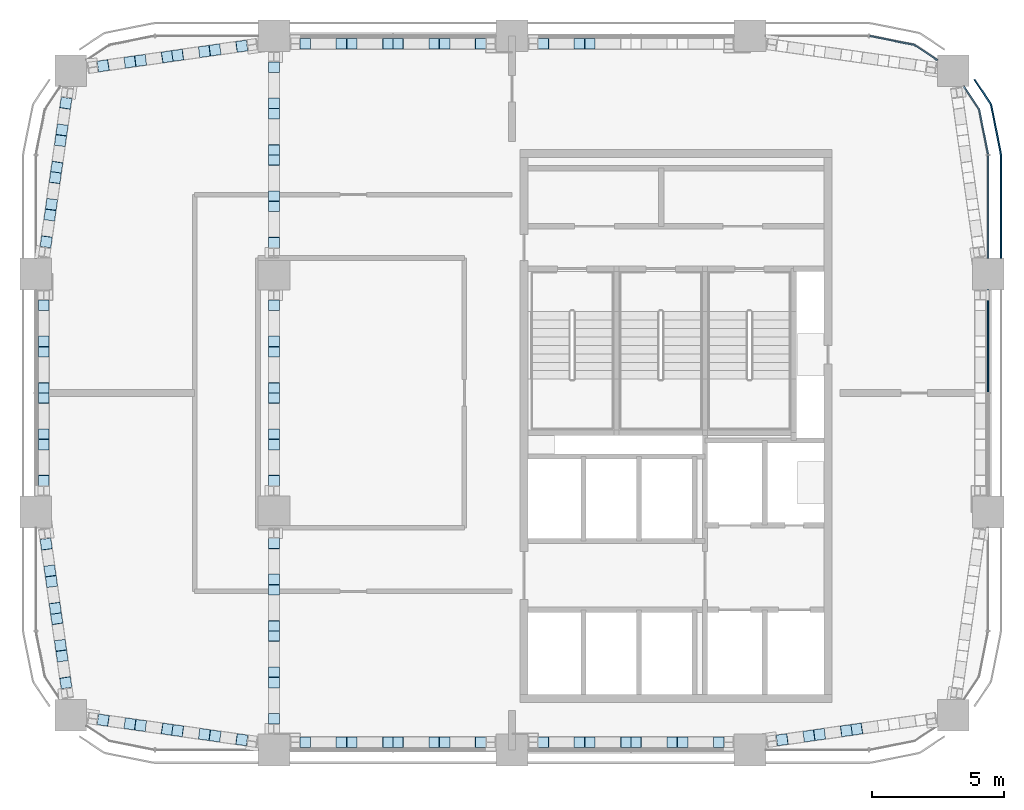
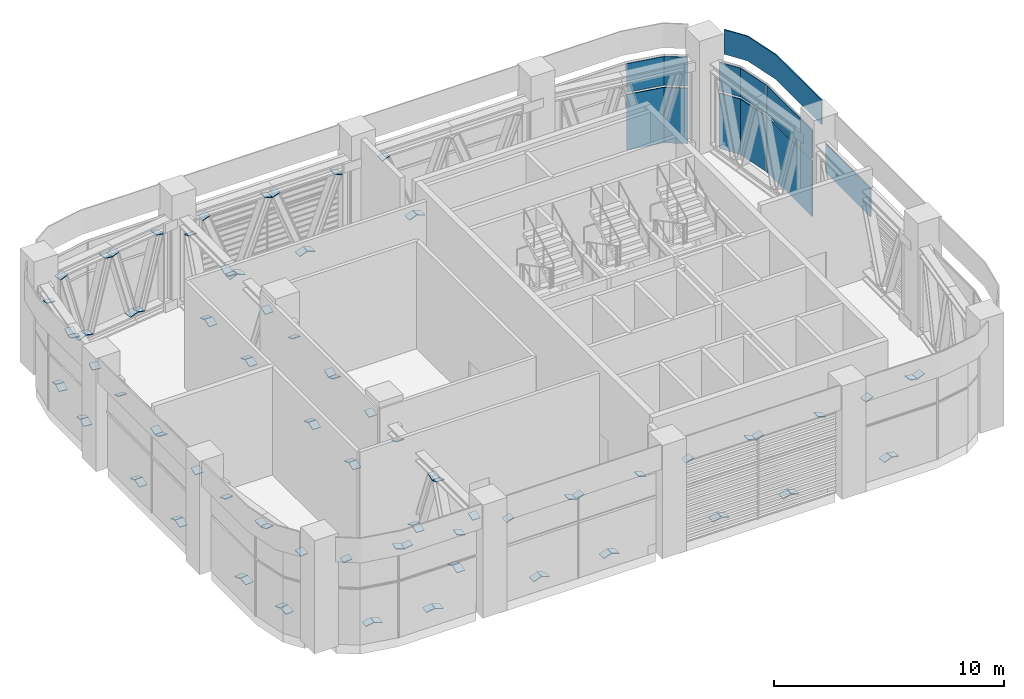
# One storey, part 8 of 14: 104 plates, 3 elements without a shape of their own.
"""IFC4 building model written with IfcOpenShell, lengths in metres."""

from ifc_helpers import new_model, si_unit, direction, frame, origin, origin_2d, place, context, subcontext, project, spatial, polyline, rectangle, outline, extrude, material, layer, layer_set, type_object, element, aggregate, save


model = new_model("IFC4")

# Units and contexts
model_context = context("Model", 3, precision=1e-05, world=origin(), true_north=direction((0.0, 1.0)))
body_context = subcontext(model_context, "Body", "Model", "MODEL_VIEW")
ifc_project = project(units=[si_unit("LENGTHUNIT", "METRE"), si_unit("AREAUNIT", "SQUARE_METRE"), si_unit("VOLUMEUNIT", "CUBIC_METRE"), si_unit("PLANEANGLEUNIT", "RADIAN"), si_unit("MASSUNIT", "GRAM", prefix="KILO")], contexts=[model_context])

# Site, building, storey
site_placement = place(None, origin())
site = spatial("IfcSite", under=ifc_project, at=site_placement, CompositionType="ELEMENT")
building_placement = place(site_placement, origin())
building = spatial("IfcBuilding", under=site, at=building_placement, Name="Tessera Arch", CompositionType="ELEMENT")
storey_placement = place(building_placement, frame((0.0, 0.0, 295.199951171875)))
storey = spatial("IfcBuildingStorey", under=building, at=storey_placement, Name="L71", CompositionType="ELEMENT", Elevation=295.199951171875)

# Curtain wall, plate
ifc_material_1 = material(Name="CW7 curtain wall")
curtain_wall_type = type_object("IfcCurtainWallType", Name="CW7 curtain wall", PredefinedType="NOTDEFINED", material=ifc_material_1)
curtain_wall_1_placement = place(storey_placement, origin())
curtain_wall_1 = element("IfcCurtainWall", 1, at=curtain_wall_1_placement, inside=storey, type_object=curtain_wall_type, Name="CW7 curtain wall E54.27/0 L71", PredefinedType="NOTDEFINED")
ifc_material_2 = material(Name="Pale anodised aluminium panel", Category="aluminium")
ifc_layer_1 = layer(ifc_material_2, 0.06005859375)
ifc_layer_set_1 = layer_set([ifc_layer_1], Name="CW7 plant wall panel")
plate_type_1 = type_object("IfcPlateType", Name="CW7 plant wall panel", PredefinedType="CURTAIN_PANEL", material=ifc_layer_set_1)
plate_1_placement = place(storey_placement, frame((54.0, 42.465087890625, 3.06005859375), z_axis=(0.0, 0.0, 1.0), x_axis=(0.0, 1.0, 0.0)))
plate_1 = element("IfcPlate", 2, at=plate_1_placement, type_object=plate_type_1, Name="CW7 plant wall panel E54.27/0 1.2.2", PredefinedType="CURTAIN_PANEL", context=body_context, shape_type="SweptSolid", body=[
    extrude(rectangle(XDim=3.8701171875, YDim=0.06005859375, at=origin_2d()), origin(), (0.0, 0.0, 1.0), 1.52001953125),
])
aggregate(curtain_wall_1, [plate_1])

# Curtain wall, plates
curtain_wall_2_placement = place(storey_placement, origin())
curtain_wall_2 = element("IfcCurtainWall", 3, at=curtain_wall_2_placement, inside=storey, type_object=curtain_wall_type, Name="CW7 curtain wall E54.27/1 L71", PredefinedType="NOTDEFINED")
plate_2_placement = place(storey_placement, frame((54.0, 47.534912109375, 0.0), z_axis=(0.0, 0.0, 1.0), x_axis=(0.0, 1.0, 0.0)))
plate_2 = element("IfcPlate", 4, at=plate_2_placement, type_object=plate_type_1, Name="CW7 plant wall panel E54.27/1 1.1", PredefinedType="CURTAIN_PANEL", context=body_context, shape_type="SweptSolid", body=[
    extrude(rectangle(XDim=3.8701171875, YDim=0.06005859375, at=origin_2d()), origin(), (0.0, 0.0, 1.0), 2.93994140625),
])
plate_3_placement = place(storey_placement, origin())
plate_3 = element("IfcPlate", 5, at=plate_3_placement, type_object=plate_type_1, Name="CW7 curved plant wall panel E54.27/1 2.1", PredefinedType="CURTAIN_PANEL", context=body_context, shape_type="SweptSolid", body=[
    extrude(outline(polyline([(53.629150390625, 51.21044921875), (53.96484375, 49.523681640625), (54.023681640625, 49.53515625), (53.685791015625, 51.23388671875), (53.10791015625, 52.0986328125), (53.057861328125, 52.0654296875), (53.629150390625, 51.21044921875)])), origin(), (0.0, 0.0, 1.0), 2.93994140625),
])
plate_4_placement = place(storey_placement, frame((54.0, 47.534912109375, 3.06005859375), z_axis=(0.0, 0.0, 1.0), x_axis=(0.0, 1.0, 0.0)))
plate_4 = element("IfcPlate", 6, at=plate_4_placement, type_object=plate_type_1, Name="CW7 plant wall panel E54.27/1 1.2", PredefinedType="CURTAIN_PANEL", context=body_context, shape_type="SweptSolid", body=[
    extrude(rectangle(XDim=3.8701171875, YDim=0.06005859375, at=origin_2d()), origin(), (0.0, 0.0, 1.0), 1.52001953125),
])
plate_5_placement = place(storey_placement, frame((0.0, 0.0, 3.06005859375)))
plate_5 = element("IfcPlate", 7, at=plate_5_placement, type_object=plate_type_1, Name="CW7 curved plant wall panel E54.27/1 2.2", PredefinedType="CURTAIN_PANEL", context=body_context, shape_type="SweptSolid", body=[
    extrude(outline(polyline([(53.629150390625, 51.21044921875), (53.96484375, 49.523681640625), (54.023681640625, 49.53515625), (53.685791015625, 51.23388671875), (53.10791015625, 52.0986328125), (53.057861328125, 52.0654296875), (53.629150390625, 51.21044921875)])), origin(), (0.0, 0.0, 1.0), 1.52001953125),
])

curtain_wall_3_placement = place(storey_placement, origin())
curtain_wall_3 = element("IfcCurtainWall", 8, at=curtain_wall_3_placement, inside=storey, type_object=curtain_wall_type, Name="CW7 curtain wall N54.18/0 L71", PredefinedType="NOTDEFINED")
plate_6_placement = place(storey_placement, origin())
plate_6 = element("IfcPlate", 9, at=plate_6_placement, type_object=plate_type_1, Name="CW7 curved plant wall panel N54.18/0 2.1", PredefinedType="CURTAIN_PANEL", context=body_context, shape_type="SweptSolid", body=[
    extrude(outline(polyline([(51.21044921875, 53.629150390625), (52.0654296875, 53.057861328125), (52.0986328125, 53.10791015625), (51.23388671875, 53.685791015625), (49.53515625, 54.023681640625), (49.523681640625, 53.96484375), (51.21044921875, 53.629150390625)])), origin(), (0.0, 0.0, 1.0), 2.93994140625),
])
plate_7_placement = place(storey_placement, frame((0.0, 0.0, 3.06005859375)))
plate_7 = element("IfcPlate", 10, at=plate_7_placement, type_object=plate_type_1, Name="CW7 curved plant wall panel N54.18/0 2.2", PredefinedType="CURTAIN_PANEL", context=body_context, shape_type="SweptSolid", body=[
    extrude(outline(polyline([(51.21044921875, 53.629150390625), (52.0654296875, 53.057861328125), (52.0986328125, 53.10791015625), (51.23388671875, 53.685791015625), (49.53515625, 54.023681640625), (49.523681640625, 53.96484375), (51.21044921875, 53.629150390625)])), origin(), (0.0, 0.0, 1.0), 1.52001953125),
])
aggregate(curtain_wall_3, [plate_6, plate_7])

# Plate
ifc_material_3 = material(Name="Pale anodised aluminium panel", Category="aluminium")
ifc_layer_2 = layer(ifc_material_3, 0.06005859375)
ifc_layer_set_2 = layer_set([ifc_layer_2], Name="CW7 spandrel panel")
plate_type_2 = type_object("IfcPlateType", Name="CW7 spandrel panel", PredefinedType="CURTAIN_PANEL", material=ifc_layer_set_2)
plate_8_placement = place(storey_placement, frame((0.0, 0.0, 4.699951171875)))
plate_8 = element("IfcPlate", 11, at=plate_8_placement, type_object=plate_type_2, Name="CW7 spandrel panel E54.27/1", PredefinedType="CURTAIN_PANEL", context=body_context, shape_type="SweptSolid", body=[
    extrude(outline(polyline([(54.449951171875, 49.499267578125), (54.449951171875, 45.60009765625), (54.510009765625, 45.60009765625), (54.510009765625, 49.500732421875), (54.507568359375, 49.550048828125), (54.500244140625, 49.598876953125), (54.157470703125, 51.322265625), (54.1455078125, 51.3701171875), (54.128662109375, 51.417236328125), (54.107421875, 51.462646484375), (54.08203125, 51.5048828125), (53.5068359375, 52.365234375), (53.45703125, 52.33203125), (54.03125, 51.47265625), (54.054443359375, 51.434326171875), (54.0732421875, 51.394287109375), (54.088134765625, 51.352783203125), (54.09912109375, 51.30908203125), (54.441162109375, 49.588623046875), (54.44775390625, 49.544189453125), (54.449951171875, 49.499267578125)])), origin(), (0.0, 0.0, 1.0), 1.300048828125),
])

aggregate(curtain_wall_2, [plate_2, plate_3, plate_4, plate_5, plate_8])

# Plates
ifc_material_4 = material(Name="Steel A572 Gr50", Category="steel")
ifc_layer_3 = layer(ifc_material_4, 0.0400390625)
ifc_layer_set_3 = layer_set([ifc_layer_3], Name="End plate W14x257")
plate_type_3 = type_object("IfcPlateType", Name="End plate W14x257", PredefinedType="SHEET", material=ifc_layer_set_3)
for number, where, z_axis, x_axis, name in (
    (12, (38.947998046875, 53.699951171875, 0.564697265625), (-0.354469991273, 0.0, -0.935067390773), (0.0, -1.0, 0.0), "End plate Belt truss diagonal 3 end 2"),
    (13, (38.559814453125, 53.699951171875, 0.52734375), (-0.354469991273, 0.0, 0.935067390773), (0.0, -1.0, 0.0), "End plate Belt truss diagonal 4 end 1"),
    (14, (37.19482421875, 53.699951171875, 4.13525390625), (-0.354469991273, 0.0, 0.935067390773), (0.0, -1.0, 0.0), "End plate Belt truss diagonal 4 end 2"),
    (15, (34.8193359375, 53.699951171875, 4.172607421875), (-0.354469991273, 0.0, -0.935067390773), (0.0, -1.0, 0.0), "End plate Belt truss diagonal 1 end 1"),
    (16, (33.454345703125, 53.699951171875, 0.564697265625), (-0.354469991273, 0.0, -0.935067390773), (0.0, -1.0, 0.0), "End plate Belt truss diagonal 1 end 2"),
    (17, (33.066162109375, 53.699951171875, 0.52734375), (-0.354469991273, 0.0, 0.935067390773), (0.0, -1.0, 0.0), "End plate Belt truss diagonal 2 end 1"),
    (18, (31.701171875, 53.699951171875, 4.13525390625), (-0.354469991273, 0.0, 0.935067390773), (0.0, -1.0, 0.0), "End plate Belt truss diagonal 2 end 2"),
    (19, (31.31298828125, 53.699951171875, 4.172607421875), (-0.354469991273, 0.0, -0.935067390773), (0.0, -1.0, 0.0), "End plate Belt truss diagonal 3 end 1"),
    (20, (29.947998046875, 53.699951171875, 0.564697265625), (-0.354469991273, 0.0, -0.935067390773), (0.0, -1.0, 0.0), "End plate Belt truss diagonal 3 end 2"),
    (21, (29.559814453125, 53.699951171875, 0.52734375), (-0.354469991273, 0.0, 0.935067390773), (0.0, -1.0, 0.0), "End plate Belt truss diagonal 4 end 1"),
    (22, (28.19482421875, 53.699951171875, 4.13525390625), (-0.354469991273, 0.0, 0.935067390773), (0.0, -1.0, 0.0), "End plate Belt truss diagonal 4 end 2"),
):
    element("IfcPlate", number, at=place(storey_placement, frame(where, z_axis=z_axis, x_axis=x_axis)), inside=storey, type_object=plate_type_3, Name=name, PredefinedType="SHEET", context=body_context, shape_type="SweptSolid", body=[
        extrude(rectangle(XDim=0.406494140625, YDim=0.41650390625, at=origin_2d()), origin(), (0.0, 0.0, 1.0), 0.0400390625),
    ])
plate_9_placement = place(storey_placement, frame((25.787841796875, 53.6103515625, 4.190673828125), z_axis=(-0.269674879765, -0.036773847241, -0.962249002797), x_axis=(0.135113204733, -0.990830168044, 0.0)))
element("IfcPlate", 23, at=plate_9_placement, inside=storey, type_object=plate_type_3, Name="End plate Belt truss diagonal 1 end 1", PredefinedType="SHEET", context=body_context, shape_type="SweptSolid", body=[
    extrude(rectangle(XDim=0.406494140625, YDim=0.41650390625, at=origin_2d()), origin(), (0.0, 0.0, 1.0), 0.039794921875),
])
for number, where, z_axis, x_axis, name in (
    (24, (24.7763671875, 53.46728515625, 0.5478515625), (-0.2680934014, -0.0365581911, -0.962699032299), (0.135113204733, -0.990830168044, 0.0), "End plate Belt truss diagonal 1 end 2"),
    (25, (24.380126953125, 53.4111328125, 0.50927734375), (-0.2680934014, -0.0365581911, 0.962699032299), (0.135113204733, -0.990830168044, 0.0), "End plate Belt truss diagonal 2 end 1"),
):
    element("IfcPlate", number, at=place(storey_placement, frame(where, z_axis=z_axis, x_axis=x_axis)), inside=storey, type_object=plate_type_3, Name=name, PredefinedType="SHEET", context=body_context, shape_type="SweptSolid", body=[
        extrude(rectangle(XDim=0.406494140625, YDim=0.41650390625, at=origin_2d()), origin(), (0.0, 0.0, 1.0), 0.0400390625),
    ])
for number, where, z_axis, x_axis, name in (
    (26, (23.36865234375, 53.26806640625, 4.15234375), (-0.269674879765, -0.036773847241, 0.962249002797), (0.135113204733, -0.990830168044, 0.0), "End plate Belt truss diagonal 2 end 2"),
    (27, (22.972412109375, 53.212158203125, 4.190673828125), (-0.263912967889, -0.042962576168, -0.96358920834), (0.160675602082, -0.987007269931, 0.0), "End plate Belt truss diagonal 3 end 1"),
):
    element("IfcPlate", number, at=place(storey_placement, frame(where, z_axis=z_axis, x_axis=x_axis)), inside=storey, type_object=plate_type_3, Name=name, PredefinedType="SHEET", context=body_context, shape_type="SweptSolid", body=[
        extrude(rectangle(XDim=0.406494140625, YDim=0.41650390625, at=origin_2d()), origin(), (0.0, 0.0, 1.0), 0.039794921875),
    ])
for number, where, z_axis, x_axis, name in (
    (28, (21.9609375, 53.06884765625, 0.5478515625), (-0.2680934014, -0.0365581911, -0.962699032299), (0.135113204733, -0.990830168044, 0.0), "End plate Belt truss diagonal 3 end 2"),
    (29, (21.56494140625, 53.012939453125, 0.50927734375), (-0.2680934014, -0.0365581911, 0.962699032299), (0.135113204733, -0.990830168044, 0.0), "End plate Belt truss diagonal 4 end 1"),
):
    element("IfcPlate", number, at=place(storey_placement, frame(where, z_axis=z_axis, x_axis=x_axis)), inside=storey, type_object=plate_type_3, Name=name, PredefinedType="SHEET", context=body_context, shape_type="SweptSolid", body=[
        extrude(rectangle(XDim=0.406494140625, YDim=0.41650390625, at=origin_2d()), origin(), (0.0, 0.0, 1.0), 0.0400390625),
    ])
for number, where, z_axis, x_axis, name in (
    (30, (20.55322265625, 52.869873046875, 4.15234375), (-0.269609057858, -0.042892350114, 0.962014138266), (0.157115048735, -0.987580306335, 0.0), "End plate Belt truss diagonal 4 end 2"),
    (31, (19.1318359375, 51.45751953125, 4.190673828125), (-0.042892350114, -0.269609057858, -0.962014138266), (0.987580306335, -0.157115048735, 0.0), "End plate Belt truss diagonal 1 end 1"),
):
    element("IfcPlate", number, at=place(storey_placement, frame(where, z_axis=z_axis, x_axis=x_axis)), inside=storey, type_object=plate_type_3, Name=name, PredefinedType="SHEET", context=body_context, shape_type="SweptSolid", body=[
        extrude(rectangle(XDim=0.406494140625, YDim=0.41650390625, at=origin_2d()), origin(), (0.0, 0.0, 1.0), 0.039794921875),
    ])
for number, where, z_axis, x_axis, name in (
    (32, (18.988525390625, 50.44580078125, 0.5478515625), (-0.0365581911, -0.2680934014, -0.962699032299), (0.990830168044, -0.135113204733, 0.0), "End plate Belt truss diagonal 1 end 2"),
    (33, (18.9326171875, 50.0498046875, 0.50927734375), (-0.0365581911, -0.2680934014, 0.962699032299), (0.990830168044, -0.135113204733, 0.0), "End plate Belt truss diagonal 2 end 1"),
):
    element("IfcPlate", number, at=place(storey_placement, frame(where, z_axis=z_axis, x_axis=x_axis)), inside=storey, type_object=plate_type_3, Name=name, PredefinedType="SHEET", context=body_context, shape_type="SweptSolid", body=[
        extrude(rectangle(XDim=0.406494140625, YDim=0.41650390625, at=origin_2d()), origin(), (0.0, 0.0, 1.0), 0.0400390625),
    ])
for number, where, z_axis, x_axis, name in (
    (34, (18.78955078125, 49.0380859375, 4.15234375), (-0.042962576168, -0.263912967889, 0.96358920834), (0.987007269931, -0.160675602082, 0.0), "End plate Belt truss diagonal 2 end 2"),
    (35, (18.7333984375, 48.64208984375, 4.190673828125), (-0.036773847241, -0.269674879765, -0.962249002797), (0.990830168044, -0.135113204733, 0.0), "End plate Belt truss diagonal 3 end 1"),
):
    element("IfcPlate", number, at=place(storey_placement, frame(where, z_axis=z_axis, x_axis=x_axis)), inside=storey, type_object=plate_type_3, Name=name, PredefinedType="SHEET", context=body_context, shape_type="SweptSolid", body=[
        extrude(rectangle(XDim=0.406494140625, YDim=0.41650390625, at=origin_2d()), origin(), (0.0, 0.0, 1.0), 0.039794921875),
    ])
for number, where, z_axis, x_axis, name in (
    (36, (18.59033203125, 47.630615234375, 0.5478515625), (-0.0365581911, -0.2680934014, -0.962699032299), (0.990830168044, -0.135113204733, 0.0), "End plate Belt truss diagonal 3 end 2"),
    (37, (18.5341796875, 47.234375, 0.50927734375), (-0.0365581911, -0.2680934014, 0.962699032299), (0.990830168044, -0.135113204733, 0.0), "End plate Belt truss diagonal 4 end 1"),
):
    element("IfcPlate", number, at=place(storey_placement, frame(where, z_axis=z_axis, x_axis=x_axis)), inside=storey, type_object=plate_type_3, Name=name, PredefinedType="SHEET", context=body_context, shape_type="SweptSolid", body=[
        extrude(rectangle(XDim=0.406494140625, YDim=0.41650390625, at=origin_2d()), origin(), (0.0, 0.0, 1.0), 0.0400390625),
    ])
plate_10_placement = place(storey_placement, frame((18.39111328125, 46.222900390625, 4.15234375), z_axis=(-0.036773847241, -0.269674879765, 0.962249002797), x_axis=(0.990830168044, -0.135113204733, 0.0)))
element("IfcPlate", 38, at=plate_10_placement, inside=storey, type_object=plate_type_3, Name="End plate Belt truss diagonal 4 end 2", PredefinedType="SHEET", context=body_context, shape_type="SweptSolid", body=[
    extrude(rectangle(XDim=0.406494140625, YDim=0.41650390625, at=origin_2d()), origin(), (0.0, 0.0, 1.0), 0.039794921875),
])
for number, where, z_axis, x_axis, name in (
    (39, (18.300048828125, 43.8193359375, 4.172607421875), (0.0, -0.354469991273, -0.935067390773), (1.0, 0.0, 0.0), "End plate Belt truss diagonal 1 end 1"),
    (40, (18.300048828125, 42.454345703125, 0.564697265625), (0.0, -0.354469991273, -0.935067390773), (1.0, 0.0, 0.0), "End plate Belt truss diagonal 1 end 2"),
    (41, (18.300048828125, 42.066162109375, 0.52734375), (0.0, -0.354469991273, 0.935067390773), (1.0, 0.0, 0.0), "End plate Belt truss diagonal 2 end 1"),
    (42, (18.300048828125, 40.701171875, 4.13525390625), (0.0, -0.354469991273, 0.935067390773), (1.0, 0.0, 0.0), "End plate Belt truss diagonal 2 end 2"),
    (43, (18.300048828125, 40.31298828125, 4.172607421875), (0.0, -0.354469991273, -0.935067390773), (1.0, 0.0, 0.0), "End plate Belt truss diagonal 3 end 1"),
    (44, (18.300048828125, 38.947998046875, 0.564697265625), (0.0, -0.354469991273, -0.935067390773), (1.0, 0.0, 0.0), "End plate Belt truss diagonal 3 end 2"),
    (45, (18.300048828125, 38.559814453125, 0.52734375), (0.0, -0.354469991273, 0.935067390773), (1.0, 0.0, 0.0), "End plate Belt truss diagonal 4 end 1"),
    (46, (18.300048828125, 37.19482421875, 4.13525390625), (0.0, -0.354469991273, 0.935067390773), (1.0, 0.0, 0.0), "End plate Belt truss diagonal 4 end 2"),
):
    element("IfcPlate", number, at=place(storey_placement, frame(where, z_axis=z_axis, x_axis=x_axis)), inside=storey, type_object=plate_type_3, Name=name, PredefinedType="SHEET", context=body_context, shape_type="SweptSolid", body=[
        extrude(rectangle(XDim=0.406494140625, YDim=0.41650390625, at=origin_2d()), origin(), (0.0, 0.0, 1.0), 0.0400390625),
    ])
plate_11_placement = place(storey_placement, frame((18.3896484375, 34.787841796875, 4.190673828125), z_axis=(0.036773847241, -0.269674879765, -0.962249002797), x_axis=(0.990830168044, 0.135113204733, 0.0)))
element("IfcPlate", 47, at=plate_11_placement, inside=storey, type_object=plate_type_3, Name="End plate Belt truss diagonal 1 end 1", PredefinedType="SHEET", context=body_context, shape_type="SweptSolid", body=[
    extrude(rectangle(XDim=0.406494140625, YDim=0.41650390625, at=origin_2d()), origin(), (0.0, 0.0, 1.0), 0.039794921875),
])
for number, where, z_axis, x_axis, name in (
    (48, (18.53271484375, 33.7763671875, 0.5478515625), (0.0365581911, -0.2680934014, -0.962699032299), (0.990830168044, 0.135113204733, 0.0), "End plate Belt truss diagonal 1 end 2"),
    (49, (18.5888671875, 33.380126953125, 0.50927734375), (0.0365581911, -0.2680934014, 0.962699032299), (0.990830168044, 0.135113204733, 0.0), "End plate Belt truss diagonal 2 end 1"),
):
    element("IfcPlate", number, at=place(storey_placement, frame(where, z_axis=z_axis, x_axis=x_axis)), inside=storey, type_object=plate_type_3, Name=name, PredefinedType="SHEET", context=body_context, shape_type="SweptSolid", body=[
        extrude(rectangle(XDim=0.406494140625, YDim=0.41650390625, at=origin_2d()), origin(), (0.0, 0.0, 1.0), 0.0400390625),
    ])
for number, where, z_axis, x_axis, name in (
    (50, (18.73193359375, 32.36865234375, 4.15234375), (0.036773847241, -0.269674879765, 0.962249002797), (0.990830168044, 0.135113204733, 0.0), "End plate Belt truss diagonal 2 end 2"),
    (51, (18.787841796875, 31.972412109375, 4.190673828125), (0.042962576168, -0.263912967889, -0.96358920834), (0.987007269931, 0.160675602082, 0.0), "End plate Belt truss diagonal 3 end 1"),
):
    element("IfcPlate", number, at=place(storey_placement, frame(where, z_axis=z_axis, x_axis=x_axis)), inside=storey, type_object=plate_type_3, Name=name, PredefinedType="SHEET", context=body_context, shape_type="SweptSolid", body=[
        extrude(rectangle(XDim=0.406494140625, YDim=0.41650390625, at=origin_2d()), origin(), (0.0, 0.0, 1.0), 0.039794921875),
    ])
for number, where, z_axis, x_axis, name in (
    (52, (18.93115234375, 30.9609375, 0.5478515625), (0.0365581911, -0.2680934014, -0.962699032299), (0.990830168044, 0.135113204733, 0.0), "End plate Belt truss diagonal 3 end 2"),
    (53, (18.987060546875, 30.56494140625, 0.50927734375), (0.0365581911, -0.2680934014, 0.962699032299), (0.990830168044, 0.135113204733, 0.0), "End plate Belt truss diagonal 4 end 1"),
):
    element("IfcPlate", number, at=place(storey_placement, frame(where, z_axis=z_axis, x_axis=x_axis)), inside=storey, type_object=plate_type_3, Name=name, PredefinedType="SHEET", context=body_context, shape_type="SweptSolid", body=[
        extrude(rectangle(XDim=0.406494140625, YDim=0.41650390625, at=origin_2d()), origin(), (0.0, 0.0, 1.0), 0.0400390625),
    ])
for number, where, z_axis, x_axis, name in (
    (54, (19.130126953125, 29.55322265625, 4.15234375), (0.042892350114, -0.269609057858, 0.962014138266), (0.987580306335, 0.157115048735, 0.0), "End plate Belt truss diagonal 4 end 2"),
    (55, (20.54248046875, 28.1318359375, 4.190673828125), (0.269609057858, -0.042892350114, -0.962014138266), (0.157115048735, 0.987580306335, 0.0), "End plate Belt truss diagonal 1 end 1"),
):
    element("IfcPlate", number, at=place(storey_placement, frame(where, z_axis=z_axis, x_axis=x_axis)), inside=storey, type_object=plate_type_3, Name=name, PredefinedType="SHEET", context=body_context, shape_type="SweptSolid", body=[
        extrude(rectangle(XDim=0.406494140625, YDim=0.41650390625, at=origin_2d()), origin(), (0.0, 0.0, 1.0), 0.039794921875),
    ])
for number, where, z_axis, x_axis, name in (
    (56, (21.55419921875, 27.988525390625, 0.5478515625), (0.2680934014, -0.0365581911, -0.962699032299), (0.135113204733, 0.990830168044, 0.0), "End plate Belt truss diagonal 1 end 2"),
    (57, (21.9501953125, 27.9326171875, 0.50927734375), (0.2680934014, -0.0365581911, 0.962699032299), (0.135113204733, 0.990830168044, 0.0), "End plate Belt truss diagonal 2 end 1"),
):
    element("IfcPlate", number, at=place(storey_placement, frame(where, z_axis=z_axis, x_axis=x_axis)), inside=storey, type_object=plate_type_3, Name=name, PredefinedType="SHEET", context=body_context, shape_type="SweptSolid", body=[
        extrude(rectangle(XDim=0.406494140625, YDim=0.41650390625, at=origin_2d()), origin(), (0.0, 0.0, 1.0), 0.0400390625),
    ])
for number, where, z_axis, x_axis, name in (
    (58, (22.9619140625, 27.78955078125, 4.15234375), (0.263912967889, -0.042962576168, 0.96358920834), (0.160675602082, 0.987007269931, 0.0), "End plate Belt truss diagonal 2 end 2"),
    (59, (23.35791015625, 27.7333984375, 4.190673828125), (0.269674879765, -0.036773847241, -0.962249002797), (0.135113204733, 0.990830168044, 0.0), "End plate Belt truss diagonal 3 end 1"),
):
    element("IfcPlate", number, at=place(storey_placement, frame(where, z_axis=z_axis, x_axis=x_axis)), inside=storey, type_object=plate_type_3, Name=name, PredefinedType="SHEET", context=body_context, shape_type="SweptSolid", body=[
        extrude(rectangle(XDim=0.406494140625, YDim=0.41650390625, at=origin_2d()), origin(), (0.0, 0.0, 1.0), 0.039794921875),
    ])
for number, where, z_axis, x_axis, name in (
    (60, (24.369384765625, 27.59033203125, 0.5478515625), (0.2680934014, -0.0365581911, -0.962699032299), (0.135113204733, 0.990830168044, 0.0), "End plate Belt truss diagonal 3 end 2"),
    (61, (24.765625, 27.5341796875, 0.50927734375), (0.2680934014, -0.0365581911, 0.962699032299), (0.135113204733, 0.990830168044, 0.0), "End plate Belt truss diagonal 4 end 1"),
):
    element("IfcPlate", number, at=place(storey_placement, frame(where, z_axis=z_axis, x_axis=x_axis)), inside=storey, type_object=plate_type_3, Name=name, PredefinedType="SHEET", context=body_context, shape_type="SweptSolid", body=[
        extrude(rectangle(XDim=0.406494140625, YDim=0.41650390625, at=origin_2d()), origin(), (0.0, 0.0, 1.0), 0.0400390625),
    ])
plate_12_placement = place(storey_placement, frame((25.777099609375, 27.39111328125, 4.15234375), z_axis=(0.269674879765, -0.036773847241, 0.962249002797), x_axis=(0.135113204733, 0.990830168044, 0.0)))
element("IfcPlate", 62, at=plate_12_placement, inside=storey, type_object=plate_type_3, Name="End plate Belt truss diagonal 4 end 2", PredefinedType="SHEET", context=body_context, shape_type="SweptSolid", body=[
    extrude(rectangle(XDim=0.406494140625, YDim=0.41650390625, at=origin_2d()), origin(), (0.0, 0.0, 1.0), 0.039794921875),
])
for number, where, z_axis, x_axis, name in (
    (63, (28.1806640625, 27.300048828125, 4.172607421875), (0.354469991273, 0.0, -0.935067390773), (0.0, 1.0, 0.0), "End plate Belt truss diagonal 1 end 1"),
    (64, (29.545654296875, 27.300048828125, 0.564697265625), (0.354469991273, 0.0, -0.935067390773), (0.0, 1.0, 0.0), "End plate Belt truss diagonal 1 end 2"),
    (65, (29.933837890625, 27.300048828125, 0.52734375), (0.354469991273, 0.0, 0.935067390773), (0.0, 1.0, 0.0), "End plate Belt truss diagonal 2 end 1"),
    (66, (31.298828125, 27.300048828125, 4.13525390625), (0.354469991273, 0.0, 0.935067390773), (0.0, 1.0, 0.0), "End plate Belt truss diagonal 2 end 2"),
    (67, (31.68701171875, 27.300048828125, 4.172607421875), (0.354469991273, 0.0, -0.935067390773), (0.0, 1.0, 0.0), "End plate Belt truss diagonal 3 end 1"),
    (68, (33.052001953125, 27.300048828125, 0.564697265625), (0.354469991273, 0.0, -0.935067390773), (0.0, 1.0, 0.0), "End plate Belt truss diagonal 3 end 2"),
    (69, (33.440185546875, 27.300048828125, 0.52734375), (0.354469991273, 0.0, 0.935067390773), (0.0, 1.0, 0.0), "End plate Belt truss diagonal 4 end 1"),
    (70, (34.80517578125, 27.300048828125, 4.13525390625), (0.354469991273, 0.0, 0.935067390773), (0.0, 1.0, 0.0), "End plate Belt truss diagonal 4 end 2"),
    (71, (37.1806640625, 27.300048828125, 4.172607421875), (0.354469991273, 0.0, -0.935067390773), (0.0, 1.0, 0.0), "End plate Belt truss diagonal 1 end 1"),
    (72, (38.545654296875, 27.300048828125, 0.564697265625), (0.354469991273, 0.0, -0.935067390773), (0.0, 1.0, 0.0), "End plate Belt truss diagonal 1 end 2"),
    (73, (38.933837890625, 27.300048828125, 0.52734375), (0.354469991273, 0.0, 0.935067390773), (0.0, 1.0, 0.0), "End plate Belt truss diagonal 2 end 1"),
    (74, (40.298828125, 27.300048828125, 4.13525390625), (0.354469991273, 0.0, 0.935067390773), (0.0, 1.0, 0.0), "End plate Belt truss diagonal 2 end 2"),
    (75, (40.68701171875, 27.300048828125, 4.172607421875), (0.354469991273, 0.0, -0.935067390773), (0.0, 1.0, 0.0), "End plate Belt truss diagonal 3 end 1"),
    (76, (42.052001953125, 27.300048828125, 0.564697265625), (0.354469991273, 0.0, -0.935067390773), (0.0, 1.0, 0.0), "End plate Belt truss diagonal 3 end 2"),
    (77, (42.440185546875, 27.300048828125, 0.52734375), (0.354469991273, 0.0, 0.935067390773), (0.0, 1.0, 0.0), "End plate Belt truss diagonal 4 end 1"),
    (78, (43.80517578125, 27.300048828125, 4.13525390625), (0.354469991273, 0.0, 0.935067390773), (0.0, 1.0, 0.0), "End plate Belt truss diagonal 4 end 2"),
):
    element("IfcPlate", number, at=place(storey_placement, frame(where, z_axis=z_axis, x_axis=x_axis)), inside=storey, type_object=plate_type_3, Name=name, PredefinedType="SHEET", context=body_context, shape_type="SweptSolid", body=[
        extrude(rectangle(XDim=0.406494140625, YDim=0.41650390625, at=origin_2d()), origin(), (0.0, 0.0, 1.0), 0.0400390625),
    ])
plate_13_placement = place(storey_placement, frame((46.212158203125, 27.3896484375, 4.190673828125), z_axis=(0.269674879765, 0.036773847241, -0.962249002797), x_axis=(-0.135113204733, 0.990830168044, 0.0)))
element("IfcPlate", 79, at=plate_13_placement, inside=storey, type_object=plate_type_3, Name="End plate Belt truss diagonal 1 end 1", PredefinedType="SHEET", context=body_context, shape_type="SweptSolid", body=[
    extrude(rectangle(XDim=0.406494140625, YDim=0.41650390625, at=origin_2d()), origin(), (0.0, 0.0, 1.0), 0.039794921875),
])
for number, where, z_axis, x_axis, name in (
    (80, (47.2236328125, 27.53271484375, 0.5478515625), (0.2680934014, 0.0365581911, -0.962699032299), (-0.135113204733, 0.990830168044, 0.0), "End plate Belt truss diagonal 1 end 2"),
    (81, (47.619873046875, 27.5888671875, 0.50927734375), (0.2680934014, 0.0365581911, 0.962699032299), (-0.135113204733, 0.990830168044, 0.0), "End plate Belt truss diagonal 2 end 1"),
):
    element("IfcPlate", number, at=place(storey_placement, frame(where, z_axis=z_axis, x_axis=x_axis)), inside=storey, type_object=plate_type_3, Name=name, PredefinedType="SHEET", context=body_context, shape_type="SweptSolid", body=[
        extrude(rectangle(XDim=0.406494140625, YDim=0.41650390625, at=origin_2d()), origin(), (0.0, 0.0, 1.0), 0.0400390625),
    ])
for number, where, z_axis, x_axis, name in (
    (82, (48.63134765625, 27.73193359375, 4.15234375), (0.269674879765, 0.036773847241, 0.962249002797), (-0.135113204733, 0.990830168044, 0.0), "End plate Belt truss diagonal 2 end 2"),
    (83, (49.027587890625, 27.787841796875, 4.190673828125), (0.263912967889, 0.042962576168, -0.96358920834), (-0.160675602082, 0.987007269931, 0.0), "End plate Belt truss diagonal 3 end 1"),
):
    element("IfcPlate", number, at=place(storey_placement, frame(where, z_axis=z_axis, x_axis=x_axis)), inside=storey, type_object=plate_type_3, Name=name, PredefinedType="SHEET", context=body_context, shape_type="SweptSolid", body=[
        extrude(rectangle(XDim=0.406494140625, YDim=0.41650390625, at=origin_2d()), origin(), (0.0, 0.0, 1.0), 0.039794921875),
    ])
for number, where, z_axis, x_axis, name in (
    (84, (27.0, 28.180908203125, 4.172607421875), (0.0, 0.354469991273, -0.935067390773), (-1.0, 0.0, 0.0), "End plate Belt truss diagonal 1 end 1"),
    (85, (27.0, 29.545654296875, 0.564697265625), (0.0, 0.354469991273, -0.935067390773), (-1.0, 0.0, 0.0), "End plate Belt truss diagonal 1 end 2"),
    (86, (27.0, 29.933837890625, 0.52734375), (0.0, 0.354469991273, 0.935067390773), (-1.0, 0.0, 0.0), "End plate Belt truss diagonal 2 end 1"),
    (87, (27.0, 31.298828125, 4.13525390625), (0.0, 0.354469991273, 0.935067390773), (-1.0, 0.0, 0.0), "End plate Belt truss diagonal 2 end 2"),
    (88, (27.0, 31.68701171875, 4.172607421875), (0.0, 0.354469991273, -0.935067390773), (-1.0, 0.0, 0.0), "End plate Belt truss diagonal 3 end 1"),
    (89, (27.0, 33.052001953125, 0.564697265625), (0.0, 0.354469991273, -0.935067390773), (-1.0, 0.0, 0.0), "End plate Belt truss diagonal 3 end 2"),
    (90, (27.0, 33.440185546875, 0.52734375), (0.0, 0.354469991273, 0.935067390773), (-1.0, 0.0, 0.0), "End plate Belt truss diagonal 4 end 1"),
    (91, (27.0, 34.804931640625, 4.13525390625), (0.0, 0.354469991273, 0.935067390773), (-1.0, 0.0, 0.0), "End plate Belt truss diagonal 4 end 2"),
    (92, (27.0, 37.180908203125, 4.172607421875), (0.0, 0.354469991273, -0.935067390773), (-1.0, 0.0, 0.0), "End plate Belt truss diagonal 1 end 1"),
    (93, (27.0, 38.545654296875, 0.564697265625), (0.0, 0.354469991273, -0.935067390773), (-1.0, 0.0, 0.0), "End plate Belt truss diagonal 1 end 2"),
    (94, (27.0, 38.933837890625, 0.52734375), (0.0, 0.354469991273, 0.935067390773), (-1.0, 0.0, 0.0), "End plate Belt truss diagonal 2 end 1"),
    (95, (27.0, 40.298828125, 4.13525390625), (0.0, 0.354469991273, 0.935067390773), (-1.0, 0.0, 0.0), "End plate Belt truss diagonal 2 end 2"),
    (96, (27.0, 40.68701171875, 4.172607421875), (0.0, 0.354469991273, -0.935067390773), (-1.0, 0.0, 0.0), "End plate Belt truss diagonal 3 end 1"),
    (97, (27.0, 42.052001953125, 0.564697265625), (0.0, 0.354469991273, -0.935067390773), (-1.0, 0.0, 0.0), "End plate Belt truss diagonal 3 end 2"),
    (98, (27.0, 42.440185546875, 0.52734375), (0.0, 0.354469991273, 0.935067390773), (-1.0, 0.0, 0.0), "End plate Belt truss diagonal 4 end 1"),
    (99, (27.0, 43.804931640625, 4.13525390625), (0.0, 0.354469991273, 0.935067390773), (-1.0, 0.0, 0.0), "End plate Belt truss diagonal 4 end 2"),
    (100, (27.0, 46.180908203125, 4.172607421875), (0.0, 0.354469991273, -0.935067390773), (-1.0, 0.0, 0.0), "End plate Belt truss diagonal 1 end 1"),
    (101, (27.0, 47.545654296875, 0.564697265625), (0.0, 0.354469991273, -0.935067390773), (-1.0, 0.0, 0.0), "End plate Belt truss diagonal 1 end 2"),
    (102, (27.0, 47.933837890625, 0.52734375), (0.0, 0.354469991273, 0.935067390773), (-1.0, 0.0, 0.0), "End plate Belt truss diagonal 2 end 1"),
    (103, (27.0, 49.298828125, 4.13525390625), (0.0, 0.354469991273, 0.935067390773), (-1.0, 0.0, 0.0), "End plate Belt truss diagonal 2 end 2"),
    (104, (27.0, 49.68701171875, 4.172607421875), (0.0, 0.354469991273, -0.935067390773), (-1.0, 0.0, 0.0), "End plate Belt truss diagonal 3 end 1"),
    (105, (27.0, 51.052001953125, 0.564697265625), (0.0, 0.354469991273, -0.935067390773), (-1.0, 0.0, 0.0), "End plate Belt truss diagonal 3 end 2"),
    (106, (27.0, 51.440185546875, 0.52734375), (0.0, 0.354469991273, 0.935067390773), (-1.0, 0.0, 0.0), "End plate Belt truss diagonal 4 end 1"),
    (107, (27.0, 52.804931640625, 4.13525390625), (0.0, 0.354469991273, 0.935067390773), (-1.0, 0.0, 0.0), "End plate Belt truss diagonal 4 end 2"),
):
    element("IfcPlate", number, at=place(storey_placement, frame(where, z_axis=z_axis, x_axis=x_axis)), inside=storey, type_object=plate_type_3, Name=name, PredefinedType="SHEET", context=body_context, shape_type="SweptSolid", body=[
        extrude(rectangle(XDim=0.406494140625, YDim=0.41650390625, at=origin_2d()), origin(), (0.0, 0.0, 1.0), 0.0400390625),
    ])

save(model, "model.ifc")
